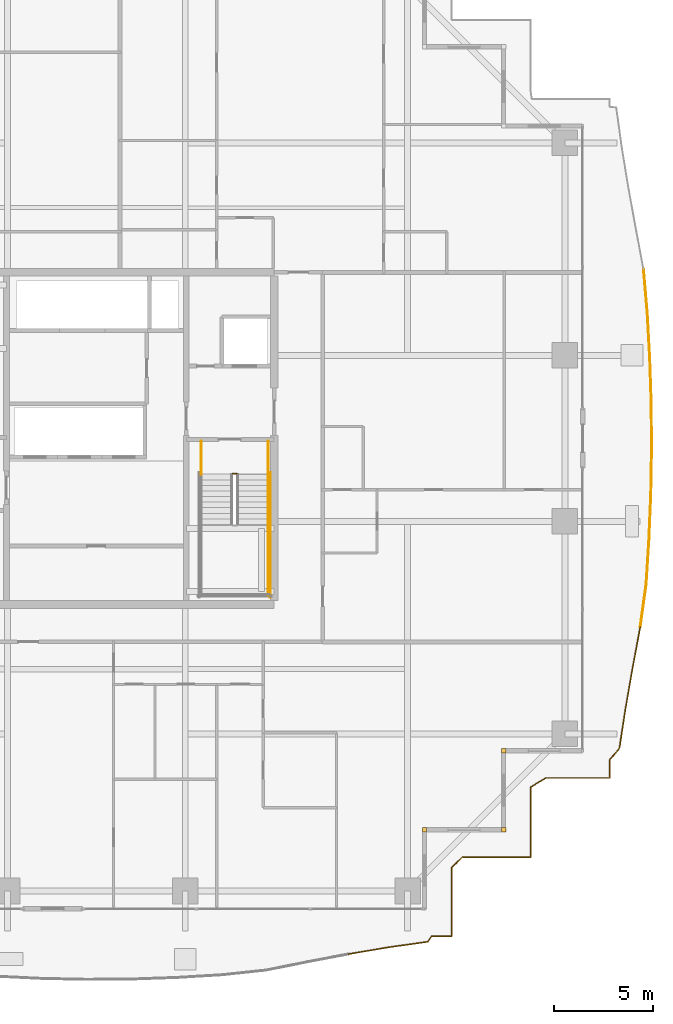
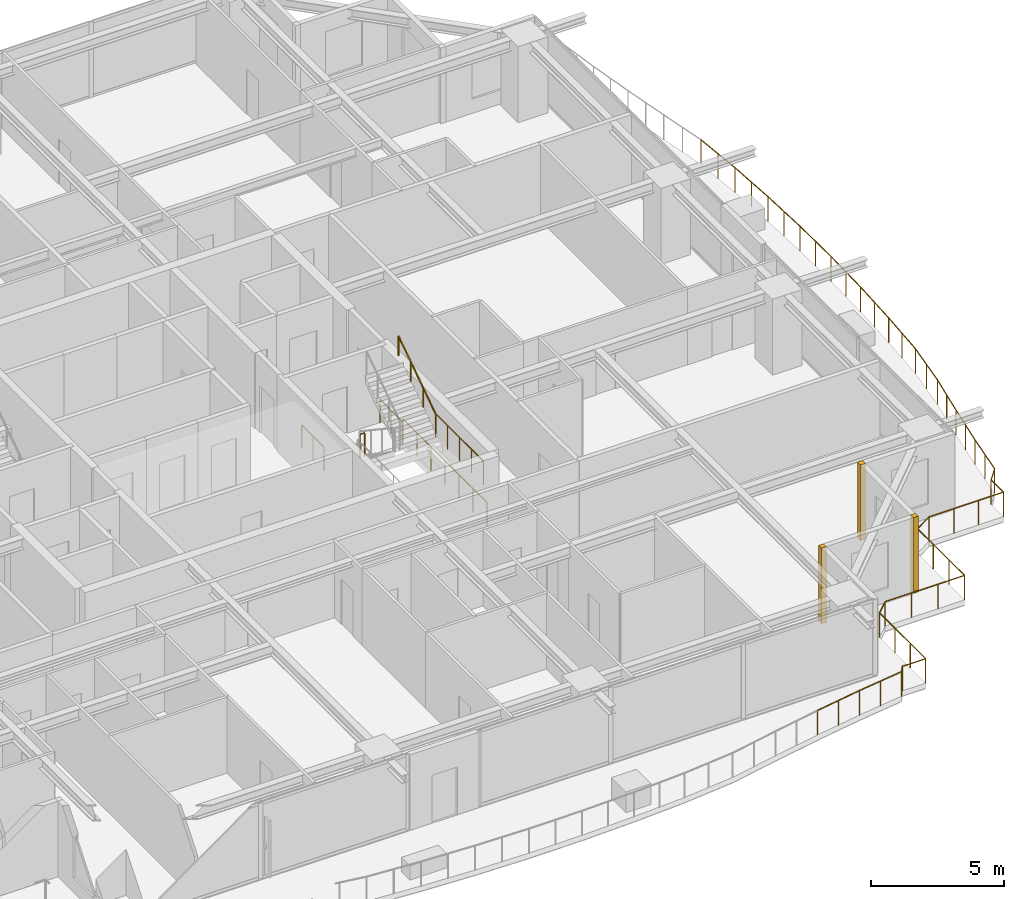
# One storey, part 35 of 36: 9 railings, 3 coverings.
"""IFC4 building model written with IfcOpenShell, lengths in metres."""

from ifc_helpers import new_model, si_unit, direction, frame, origin, origin_2d, place, context, subcontext, project, spatial, rectangle, circle, extrude, source, transform, mapped, material, layer, layer_set, type_object, element, save


model = new_model("IFC4")

# Units and contexts
model_context = context("Model", 3, precision=1e-05, world=origin(), true_north=direction((0.0, 1.0)))
body_context = subcontext(model_context, "Body", "Model", "MODEL_VIEW")
ifc_project = project(units=[si_unit("LENGTHUNIT", "METRE"), si_unit("AREAUNIT", "SQUARE_METRE"), si_unit("VOLUMEUNIT", "CUBIC_METRE"), si_unit("PLANEANGLEUNIT", "RADIAN"), si_unit("MASSUNIT", "GRAM", prefix="KILO")], contexts=[model_context])

# Site, building, storey
site_placement = place(None, origin())
site = spatial("IfcSite", under=ifc_project, at=site_placement, CompositionType="ELEMENT")
building_placement = place(site_placement, origin())
building = spatial("IfcBuilding", under=site, at=building_placement, Name="Serunith Strait Residences", CompositionType="ELEMENT")
storey_placement = place(building_placement, frame((0.0, 0.0, 146.39990234375)))
storey = spatial("IfcBuildingStorey", under=building, at=storey_placement, Name="L36", CompositionType="ELEMENT", Elevation=146.39990234375)

# Railings
ifc_material_1 = material(Name="Stainless Steel & Laminated Glass Balustrade", Category="steel")
railing_type_1 = type_object("IfcRailingType", Name="RLG-BALC-1150", PredefinedType="BALUSTRADE", material=ifc_material_1)
railing_1_placement = place(storey_placement, frame((60.084228515625, 33.7529296875, -0.0498046875)))
element("IfcRailing", 1, at=railing_1_placement, inside=storey, type_object=railing_type_1, Name="L36 Swirling Balcony Perimeter Balustrade 4", PredefinedType="BALUSTRADE", context=body_context, shape_type="SweptSolid", body=[
    extrude(circle(Radius=0.02392578125, at=origin_2d()), frame((0.000244140625, -0.001953125, 1.1259765625), z_axis=(0.085776138598, -0.99631443533, 0.0), x_axis=(0.99631443533, 0.085776138598, 0.0)), (0.0, 0.0, 1.0), 2.230224609375),
    extrude(circle(Radius=0.02392578125, at=origin_2d()), frame((0.191650390625, -2.22802734375, 1.1259765625), z_axis=(0.054838742648, -0.998495223977, 0.0), x_axis=(0.998495223977, 0.054838742648, 0.0)), (0.0, 0.0, 1.0), 2.2666015625),
    extrude(circle(Radius=0.02392578125, at=origin_2d()), frame((0.316162109375, -4.4951171875, 1.1259765625), z_axis=(0.032701247741, -0.999465171177, 0.0), x_axis=(0.999465171177, 0.032701247741, 0.0)), (0.0, 0.0, 1.0), 2.2880859375),
    extrude(circle(Radius=0.02392578125, at=origin_2d()), frame((0.39111328125, -6.785888671875, 1.1259765625), z_axis=(0.007953932286, -0.99996836698, 0.0), x_axis=(0.99996836698, 0.007953932286, 0.0)), (0.0, 0.0, 1.0), 2.298095703125),
    extrude(circle(Radius=0.02392578125, at=origin_2d()), frame((0.409423828125, -9.087890625, 1.1259765625), z_axis=(-0.017520674671, -0.999846501199, 0.0), x_axis=(0.999846501199, -0.017520674671, 0.0)), (0.0, 0.0, 1.0), 2.295166015625),
    extrude(circle(Radius=0.02392578125, at=origin_2d()), frame((0.369140625, -11.38671875, 1.1259765625), z_axis=(-0.041572756598, -0.999135479256, 0.0), x_axis=(0.999135479256, -0.041572756598, 0.0)), (0.0, 0.0, 1.0), 2.280517578125),
    extrude(circle(Radius=0.02392578125, at=origin_2d()), frame((0.27392578125, -13.669189453125, 1.1259765625), z_axis=(-0.062358101308, -0.998053839831, 0.0), x_axis=(0.998053839831, -0.062358101308, 0.0)), (0.0, 0.0, 1.0), 2.255126953125),
    extrude(circle(Radius=0.02392578125, at=origin_2d()), frame((0.133056640625, -15.923828125, 1.1259765625), z_axis=(-0.137607750221, -0.990486803082, 0.0), x_axis=(0.990486803082, -0.137607750221, 0.0)), (0.0, 0.0, 1.0), 2.1923828125),
    extrude(circle(Radius=0.02099609375, at=origin_2d()), origin(), (0.0, 0.0, 1.0), 1.099853515625),
    extrude(circle(Radius=0.02099609375, at=origin_2d()), frame((0.095703125, -1.113037109375, 0.0)), (0.0, 0.0, 1.0), 1.099853515625),
    extrude(circle(Radius=0.02099609375, at=origin_2d()), frame((0.191650390625, -2.22607421875, 0.0)), (0.0, 0.0, 1.0), 1.099853515625),
    extrude(circle(Radius=0.02099609375, at=origin_2d()), frame((0.25390625, -3.359619140625, 0.0)), (0.0, 0.0, 1.0), 1.099853515625),
    extrude(circle(Radius=0.02099609375, at=origin_2d()), frame((0.316162109375, -4.4931640625, 0.0)), (0.0, 0.0, 1.0), 1.099853515625),
    extrude(circle(Radius=0.02099609375, at=origin_2d()), frame((0.353515625, -5.638671875, 0.0)), (0.0, 0.0, 1.0), 1.099853515625),
    extrude(circle(Radius=0.02099609375, at=origin_2d()), frame((0.39111328125, -6.783935546875, 0.0)), (0.0, 0.0, 1.0), 1.099853515625),
    extrude(circle(Radius=0.02099609375, at=origin_2d()), frame((0.400390625, -7.93505859375, 0.0)), (0.0, 0.0, 1.0), 1.099853515625),
    extrude(circle(Radius=0.02099609375, at=origin_2d()), frame((0.409423828125, -9.0859375, 0.0)), (0.0, 0.0, 1.0), 1.099853515625),
    extrude(circle(Radius=0.02099609375, at=origin_2d()), frame((0.38916015625, -10.2353515625, 0.0)), (0.0, 0.0, 1.0), 1.099853515625),
    extrude(circle(Radius=0.02099609375, at=origin_2d()), frame((0.369140625, -11.384765625, 0.0)), (0.0, 0.0, 1.0), 1.099853515625),
    extrude(circle(Radius=0.02099609375, at=origin_2d()), frame((0.32177734375, -12.52587890625, 0.0)), (0.0, 0.0, 1.0), 1.099853515625),
    extrude(circle(Radius=0.02099609375, at=origin_2d()), frame((0.274169921875, -13.667236328125, 0.0)), (0.0, 0.0, 1.0), 1.099853515625),
    extrude(circle(Radius=0.02099609375, at=origin_2d()), frame((0.20361328125, -14.79443359375, 0.0)), (0.0, 0.0, 1.0), 1.099853515625),
    extrude(circle(Radius=0.02099609375, at=origin_2d()), frame((0.13330078125, -15.921875, 0.0)), (0.0, 0.0, 1.0), 1.099853515625),
    extrude(circle(Radius=0.02099609375, at=origin_2d()), frame((-0.017822265625, -17.009765625, 0.0)), (0.0, 0.0, 1.0), 1.099853515625),
    extrude(circle(Radius=0.02099609375, at=origin_2d()), frame((-0.1689453125, -18.097412109375, 0.0)), (0.0, 0.0, 1.0), 1.099853515625),
])
railing_2_placement = place(storey_placement, frame((59.915283203125, 15.655517578125, -0.0498046875)))
element("IfcRailing", 2, at=railing_2_placement, inside=storey, type_object=railing_type_1, Name="L36 Swirling Balcony Perimeter Balustrade 5", PredefinedType="BALUSTRADE", context=body_context, shape_type="SweptSolid", body=[
    extrude(circle(Radius=0.02392578125, at=origin_2d()), frame((-0.00048828125, -0.001953125, 1.1259765625), z_axis=(-0.183393475593, -0.983039588781, 0.0), x_axis=(0.983039588781, -0.183393475593, 0.0)), (0.0, 0.0, 1.0), 2.12060546875),
    extrude(circle(Radius=0.02392578125, at=origin_2d()), frame((-0.389892578125, -2.090576171875, 1.1259765625), z_axis=(-0.172226023039, -0.985057458724, 0.0), x_axis=(0.985057458724, -0.172226023039, 0.0)), (0.0, 0.0, 1.0), 2.068359375),
    extrude(circle(Radius=0.02392578125, at=origin_2d()), frame((-0.746826171875, -4.132080078125, 1.1259765625), z_axis=(-0.151119809783, -0.988515454149, 0.0), x_axis=(0.988515454149, -0.151119809783, 0.0)), (0.0, 0.0, 1.0), 2.031494140625),
    extrude(circle(Radius=0.02392578125, at=origin_2d()), frame((-1.055419921875, -6.143798828125, 1.1259765625), z_axis=(-0.648268777908, -0.761411578314, 0.0), x_axis=(0.761411578314, -0.648268777908, 0.0)), (0.0, 0.0, 1.0), 0.73828125),
    extrude(circle(Radius=0.02392578125, at=origin_2d()), frame((-1.535400390625, -6.70947265625, 1.1259765625), z_axis=(0.0, -1.0, 0.0), x_axis=(1.0, 0.0, 0.0)), (0.0, 0.0, 1.0), 0.924072265625),
    extrude(circle(Radius=0.02392578125, at=origin_2d()), frame((-1.537353515625, -7.635498046875, 1.1259765625), z_axis=(-1.0, 0.0, 0.0), x_axis=(0.0, -1.0, 0.0)), (0.0, 0.0, 1.0), 3.230224609375),
    extrude(circle(Radius=0.02392578125, at=origin_2d()), frame((-4.771240234375, -7.636474609375, 1.1259765625), z_axis=(-0.857999306719, -0.513650844124, 0.0), x_axis=(0.513650844124, -0.857999306719, 0.0)), (0.0, 0.0, 1.0), 0.888671875),
    extrude(circle(Radius=0.02392578125, at=origin_2d()), frame((-5.535400390625, -8.095947265625, 1.1259765625), z_axis=(0.0, -1.0, 0.0), x_axis=(1.0, 0.0, 0.0)), (0.0, 0.0, 1.0), 3.53759765625),
    extrude(circle(Radius=0.02099609375, at=origin_2d()), origin(), (0.0, 0.0, 1.0), 1.099853515625),
    extrude(circle(Radius=0.02099609375, at=origin_2d()), frame((-0.19482421875, -1.04443359375, 0.0)), (0.0, 0.0, 1.0), 1.099853515625),
    extrude(circle(Radius=0.02099609375, at=origin_2d()), frame((-0.3896484375, -2.088623046875, 0.0)), (0.0, 0.0, 1.0), 1.099853515625),
    extrude(circle(Radius=0.02099609375, at=origin_2d()), frame((-0.568115234375, -3.109375, 0.0)), (0.0, 0.0, 1.0), 1.099853515625),
    extrude(circle(Radius=0.02099609375, at=origin_2d()), frame((-0.74658203125, -4.130126953125, 0.0)), (0.0, 0.0, 1.0), 1.099853515625),
    extrude(circle(Radius=0.02099609375, at=origin_2d()), frame((-0.900390625, -5.13623046875, 0.0)), (0.0, 0.0, 1.0), 1.099853515625),
    extrude(circle(Radius=0.02099609375, at=origin_2d()), frame((-1.05419921875, -6.142333984375, 0.0)), (0.0, 0.0, 1.0), 1.099853515625),
    extrude(circle(Radius=0.02099609375, at=origin_2d()), frame((-1.535400390625, -6.70751953125, 0.0)), (0.0, 0.0, 1.0), 1.099853515625),
    extrude(circle(Radius=0.02099609375, at=origin_2d()), frame((-1.535400390625, -7.635498046875, 0.0)), (0.0, 0.0, 1.0), 1.099853515625),
    extrude(circle(Radius=0.02099609375, at=origin_2d()), frame((-2.613525390625, -7.635498046875, 0.0)), (0.0, 0.0, 1.0), 1.099853515625),
    extrude(circle(Radius=0.02099609375, at=origin_2d()), frame((-3.69140625, -7.635498046875, 0.0)), (0.0, 0.0, 1.0), 1.099853515625),
    extrude(circle(Radius=0.02099609375, at=origin_2d()), frame((-4.76953125, -7.635498046875, 0.0)), (0.0, 0.0, 1.0), 1.099853515625),
    extrude(circle(Radius=0.02099609375, at=origin_2d()), frame((-5.535400390625, -8.093994140625, 0.0)), (0.0, 0.0, 1.0), 1.099853515625),
    extrude(circle(Radius=0.02099609375, at=origin_2d()), frame((-5.535400390625, -9.2744140625, 0.0)), (0.0, 0.0, 1.0), 1.099853515625),
    extrude(circle(Radius=0.02099609375, at=origin_2d()), frame((-5.535400390625, -10.455078125, 0.0)), (0.0, 0.0, 1.0), 1.099853515625),
    extrude(circle(Radius=0.02099609375, at=origin_2d()), frame((-5.535400390625, -11.635498046875, 0.0)), (0.0, 0.0, 1.0), 1.099853515625),
])
railing_3_placement = place(storey_placement, frame((54.3798828125, 4.02001953125, -0.0498046875)))
element("IfcRailing", 3, at=railing_3_placement, inside=storey, type_object=railing_type_1, Name="L36 Swirling Balcony Perimeter Balustrade 6", PredefinedType="BALUSTRADE", context=body_context, shape_type="SweptSolid", body=[
    extrude(circle(Radius=0.02392578125, at=origin_2d()), frame((-0.001953125, 0.0, 1.1259765625), z_axis=(-1.0, 0.0, 0.0), x_axis=(0.0, -1.0, 0.0)), (0.0, 0.0, 1.0), 3.4501953125),
    extrude(circle(Radius=0.02392578125, at=origin_2d()), frame((-3.45556640625, -0.00146484375, 1.1259765625), z_axis=(-0.720028157783, -0.693944847953, 0.0), x_axis=(0.693944847953, -0.720028157783, 0.0)), (0.0, 0.0, 1.0), 0.754150390625),
    extrude(circle(Radius=0.02392578125, at=origin_2d()), frame((-4.0, -0.528076171875, 1.1259765625), z_axis=(0.0, -1.0, 0.0), x_axis=(1.0, 0.0, 0.0)), (0.0, 0.0, 1.0), 3.469970703125),
    extrude(circle(Radius=0.02392578125, at=origin_2d()), frame((-4.001953125, -4.0, 1.1259765625), z_axis=(-1.0, 0.0, 0.0), x_axis=(0.0, -1.0, 0.0)), (0.0, 0.0, 1.0), 1.007080078125),
    extrude(circle(Radius=0.02392578125, at=origin_2d()), frame((-5.01220703125, -4.001708984375, 1.1259765625), z_axis=(-0.580779733969, -0.814060747494, 0.0), x_axis=(0.814060747494, -0.580779733969, 0.0)), (0.0, 0.0, 1.0), 0.3486328125),
    extrude(circle(Radius=0.02392578125, at=origin_2d()), frame((-5.2177734375, -4.287353515625, 1.1259765625), z_axis=(-0.990242747995, -0.139353148666, 0.0), x_axis=(0.139353148666, -0.990242747995, 0.0)), (0.0, 0.0, 1.0), 2.012451171875),
    extrude(circle(Radius=0.02392578125, at=origin_2d()), frame((-7.214599609375, -4.568359375, 1.1259765625), z_axis=(-0.985974232259, -0.166897613288, 0.0), x_axis=(0.166897613288, -0.985974232259, 0.0)), (0.0, 0.0, 1.0), 2.03955078125),
    extrude(circle(Radius=0.02099609375, at=origin_2d()), origin(), (0.0, 0.0, 1.0), 1.099853515625),
    extrude(circle(Radius=0.02099609375, at=origin_2d()), frame((-1.1513671875, 0.0, 0.0)), (0.0, 0.0, 1.0), 1.099853515625),
    extrude(circle(Radius=0.02099609375, at=origin_2d()), frame((-2.302734375, 0.0, 0.0)), (0.0, 0.0, 1.0), 1.099853515625),
    extrude(circle(Radius=0.02099609375, at=origin_2d()), frame((-3.4541015625, 0.0, 0.0)), (0.0, 0.0, 1.0), 1.099853515625),
    extrude(circle(Radius=0.02099609375, at=origin_2d()), frame((-4.0, -0.526123046875, 0.0)), (0.0, 0.0, 1.0), 1.099853515625),
    extrude(circle(Radius=0.02099609375, at=origin_2d()), frame((-4.0, -1.68408203125, 0.0)), (0.0, 0.0, 1.0), 1.099853515625),
    extrude(circle(Radius=0.02099609375, at=origin_2d()), frame((-4.0, -2.842041015625, 0.0)), (0.0, 0.0, 1.0), 1.099853515625),
    extrude(circle(Radius=0.02099609375, at=origin_2d()), frame((-4.0, -4.0, 0.0)), (0.0, 0.0, 1.0), 1.099853515625),
    extrude(circle(Radius=0.02099609375, at=origin_2d()), frame((-5.010986328125, -4.0, 0.0)), (0.0, 0.0, 1.0), 1.099853515625),
    extrude(circle(Radius=0.02099609375, at=origin_2d()), frame((-5.2158203125, -4.287109375, 0.0)), (0.0, 0.0, 1.0), 1.099853515625),
    extrude(circle(Radius=0.02099609375, at=origin_2d()), frame((-6.21435546875, -4.427734375, 0.0)), (0.0, 0.0, 1.0), 1.099853515625),
    extrude(circle(Radius=0.02099609375, at=origin_2d()), frame((-7.212646484375, -4.568115234375, 0.0)), (0.0, 0.0, 1.0), 1.099853515625),
    extrude(circle(Radius=0.02099609375, at=origin_2d()), frame((-8.22021484375, -4.73876953125, 0.0)), (0.0, 0.0, 1.0), 1.099853515625),
    extrude(circle(Radius=0.02099609375, at=origin_2d()), frame((-9.2275390625, -4.9091796875, 0.0)), (0.0, 0.0, 1.0), 1.099853515625),
])
ifc_material_2 = material(Name="Brushed stainless steel 316L", Category="steel")
railing_type_2 = type_object("IfcRailingType", Name="RLG-STAIR-GUARD", PredefinedType="BALUSTRADE", material=ifc_material_2)
railing_4_placement = place(storey_placement, frame((41.10009765625, 20.85009765625, 1.875)))
element("IfcRailing", 4, at=railing_4_placement, inside=storey, type_object=railing_type_2, Name="L36 ST-2 stair guard 4", PredefinedType="BALUSTRADE", context=body_context, shape_type="SweptSolid", body=[
    extrude(circle(Radius=0.02392578125, at=origin_2d()), frame((0.0, -0.001953125, 1.076171875), z_axis=(0.0, -1.0, 0.0), x_axis=(1.0, 0.0, 0.0)), (0.0, 0.0, 1.0), 3.59619140625),
    extrude(circle(Radius=0.02099609375, at=origin_2d()), origin(), (0.0, 0.0, 1.0), 1.050048828125),
    extrude(circle(Radius=0.02099609375, at=origin_2d()), frame((0.0, -0.89990234375, 0.0)), (0.0, 0.0, 1.0), 1.050048828125),
    extrude(circle(Radius=0.02099609375, at=origin_2d()), frame((0.0, -1.800048828125, 0.0)), (0.0, 0.0, 1.0), 1.050048828125),
    extrude(circle(Radius=0.02099609375, at=origin_2d()), frame((0.0, -2.7001953125, 0.0)), (0.0, 0.0, 1.0), 1.050048828125),
    extrude(circle(Radius=0.02099609375, at=origin_2d()), frame((0.0, -3.60009765625, 0.0)), (0.0, 0.0, 1.0), 1.050048828125),
])
railing_5_placement = place(storey_placement, frame((39.300048828125, 23.419921875, 0.0)))
element("IfcRailing", 5, at=railing_5_placement, inside=storey, type_object=railing_type_2, Name="L36 ST-2 stair guard 7", PredefinedType="BALUSTRADE", context=body_context, shape_type="SweptSolid", body=[
    extrude(circle(Radius=0.02392578125, at=origin_2d()), frame((0.001953125, 0.0, 1.076171875), z_axis=(1.0, 0.0, 0.0), x_axis=(0.0, 1.0, 0.0)), (0.0, 0.0, 1.0), 0.196044921875),
    extrude(circle(Radius=0.02099609375, at=origin_2d()), origin(), (0.0, 0.0, 1.0), 1.050048828125),
    extrude(circle(Radius=0.02099609375, at=origin_2d()), frame((0.199951171875, 0.0, 0.0)), (0.0, 0.0, 1.0), 1.050048828125),
])
for number, where, name in (
    (6, (37.699951171875, 25.050048828125, 0.0), "L36 ST-2 stair guard 8"),
    (7, (41.10009765625, 25.050048828125, 0.0), "L36 ST-2 stair guard 9"),
):
    element("IfcRailing", number, at=place(storey_placement, frame(where)), inside=storey, type_object=railing_type_2, Name=name, PredefinedType="BALUSTRADE", context=body_context, shape_type="SweptSolid", body=[
        extrude(circle(Radius=0.02392578125, at=origin_2d()), frame((0.0, -0.001953125, 1.076171875), z_axis=(0.0, -1.0, 0.0), x_axis=(1.0, 0.0, 0.0)), (0.0, 0.0, 1.0), 1.676025390625),
        extrude(circle(Radius=0.02099609375, at=origin_2d()), origin(), (0.0, 0.0, 1.0), 1.050048828125),
        extrude(circle(Radius=0.02099609375, at=origin_2d()), frame((0.0, -0.83984375, 0.0)), (0.0, 0.0, 1.0), 1.050048828125),
        extrude(circle(Radius=0.02099609375, at=origin_2d()), frame((0.0, -1.679931640625, 0.0)), (0.0, 0.0, 1.0), 1.050048828125),
    ])
railing_6_placement = place(storey_placement, frame((41.199951171875, 23.469970703125, 0.0)))
element("IfcRailing", 8, at=railing_6_placement, inside=storey, type_object=railing_type_2, Name="L36 ST-2 stair guard 11", PredefinedType="BALUSTRADE", context=body_context, shape_type="SweptSolid", body=[
    extrude(circle(Radius=0.02392578125, at=origin_2d()), frame((0.0, -0.001953125, 1.076171875), z_axis=(0.0, -1.0, 0.0), x_axis=(1.0, 0.0, 0.0)), (0.0, 0.0, 1.0), 6.316162109375),
    extrude(circle(Radius=0.02099609375, at=origin_2d()), origin(), (0.0, 0.0, 1.0), 1.050048828125),
    extrude(circle(Radius=0.02099609375, at=origin_2d()), frame((0.0, -1.05322265625, 0.0)), (0.0, 0.0, 1.0), 1.050048828125),
    extrude(circle(Radius=0.02099609375, at=origin_2d()), frame((0.0, -2.106689453125, 0.0)), (0.0, 0.0, 1.0), 1.050048828125),
    extrude(circle(Radius=0.02099609375, at=origin_2d()), frame((0.0, -3.16015625, 0.0)), (0.0, 0.0, 1.0), 1.050048828125),
    extrude(circle(Radius=0.02099609375, at=origin_2d()), frame((0.0, -4.21337890625, 0.0)), (0.0, 0.0, 1.0), 1.050048828125),
    extrude(circle(Radius=0.02099609375, at=origin_2d()), frame((0.0, -5.2666015625, 0.0)), (0.0, 0.0, 1.0), 1.050048828125),
    extrude(circle(Radius=0.02099609375, at=origin_2d()), frame((0.0, -6.320068359375, 0.0)), (0.0, 0.0, 1.0), 1.050048828125),
])
railing_type_3 = type_object("IfcRailingType", Name="RLG-STAIR-HR", PredefinedType="HANDRAIL", material=ifc_material_2)
railing_7_placement = place(storey_placement, frame((41.10009765625, 20.85009765625, 2.0625)))
element("IfcRailing", 9, at=railing_7_placement, inside=storey, type_object=railing_type_3, Name="L36 ST-2 stair handrail 2", PredefinedType="HANDRAIL", context=body_context, shape_type="SweptSolid", body=[
    extrude(circle(Radius=0.02392578125, at=origin_2d()), frame((0.0, 0.001708984375, 0.876953125), z_axis=(0.0, 0.830185712471, 0.557486935101), x_axis=(-1.0, 0.0, 0.0)), (0.0, 0.0, 1.0), 3.368408203125),
    extrude(circle(Radius=0.02099609375, at=origin_2d()), origin(), (0.0, 0.0, 1.0), 0.849853515625),
    extrude(circle(Radius=0.02099609375, at=origin_2d()), frame((0.0, 0.933349609375, 0.626708984375)), (0.0, 0.0, 1.0), 0.849853515625),
    extrude(circle(Radius=0.02099609375, at=origin_2d()), frame((0.0, 1.866455078125, 1.25341796875)), (0.0, 0.0, 1.0), 0.849853515625),
    extrude(circle(Radius=0.02099609375, at=origin_2d()), frame((0.0, 2.7998046875, 1.880126953125)), (0.0, 0.0, 1.0), 0.849853515625),
])

# Coverings
ifc_material_3 = material(Name="Pale-Champagne Anodised Aluminium", Category="aluminium")
ifc_layer = layer(ifc_material_3, 0.219970703125, Name="Pale-Champagne Anodised Aluminium")
ifc_layer_set = layer_set([ifc_layer], Name="Pale-Champagne Anodised Aluminium")
covering_type = type_object("IfcCoveringType", Name="COV-CORN-TRIM", PredefinedType="CLADDING", material=ifc_layer_set)
shared_shape = source(origin(), body_context, "Body", "SweptSolid", [
    extrude(rectangle(XDim=0.221923828125, YDim=0.221923828125, at=origin_2d()), origin(), (0.0, 0.0, 1.0), 3.47509765625),
])
for number, where, z_axis, x_axis, name in (
    (10, (49.0, 5.39990234375, 0.0), (0.0, 0.0, 1.0), (1.0, 0.0, 0.0), "L36 Girih Serrated Corner Trim Post 02"),
    (11, (53.0, 5.39990234375, 0.0), (0.0, 0.0, 1.0), (1.0, 0.0, 0.0), "L36 Girih Serrated Corner Trim Post 03"),
    (12, (53.0, 9.39990234375, 0.0), (0.0, 0.0, 1.0), (1.0, 0.0, 0.0), "L36 Girih Serrated Corner Trim Post 04"),
):
    element("IfcCovering", number, at=place(storey_placement, frame(where, z_axis=z_axis, x_axis=x_axis)), inside=storey, type_object=covering_type, Name=name, PredefinedType="CLADDING", context=body_context, shape_type="MappedRepresentation", body=[
        mapped(shared_shape, transform((0.0, 0.0, 0.0), scale=1.0)),
    ])

save(model, "model.ifc")
